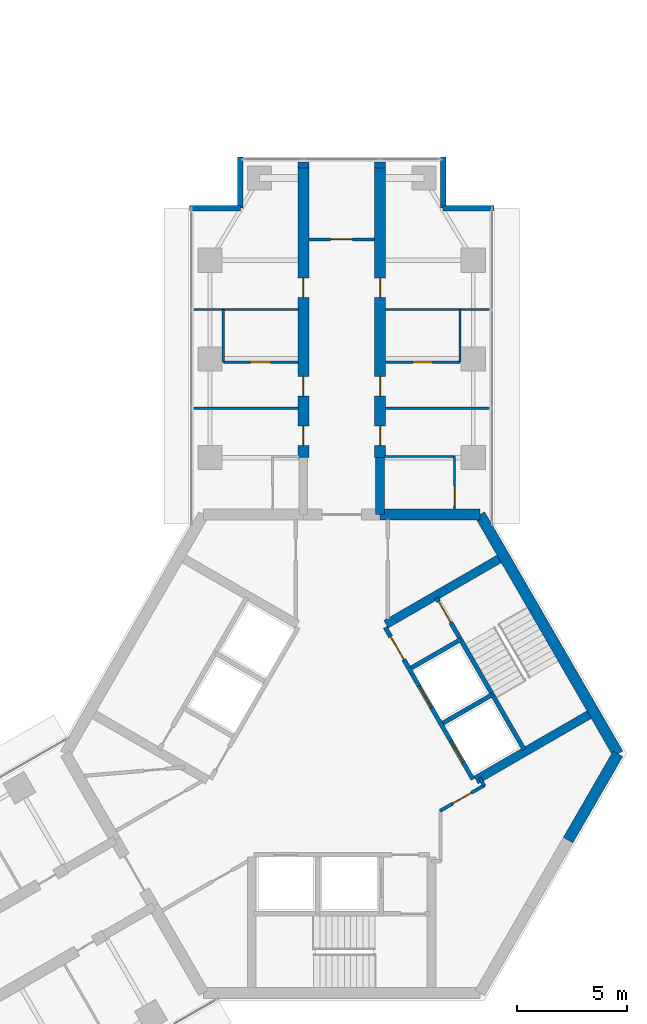
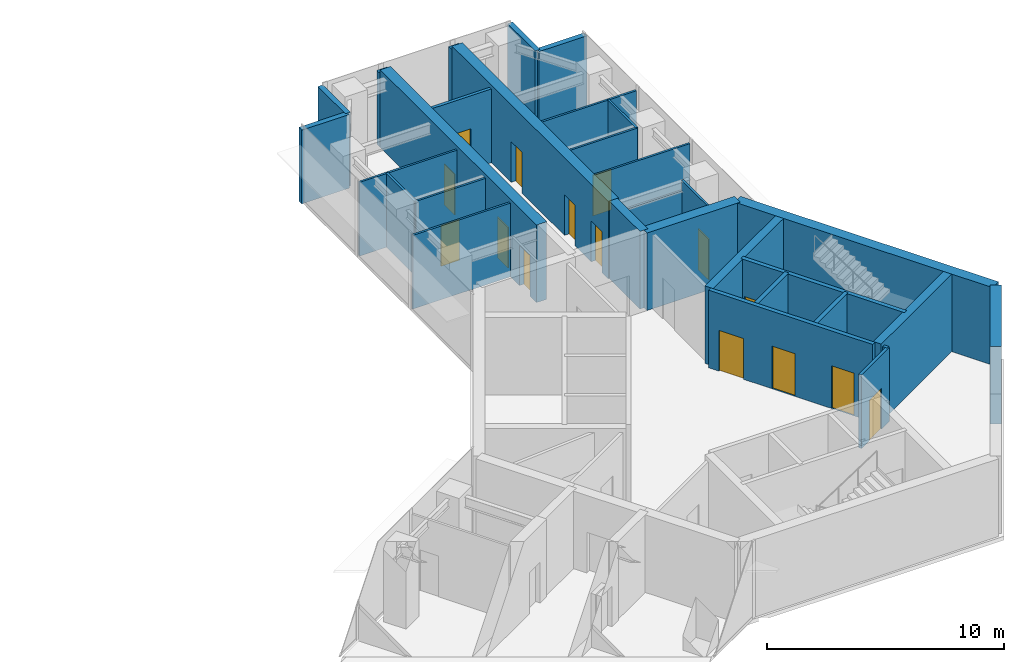
# One storey, part 15 of 17: 31 walls, 15 doors, 15 openings.
"""IFC4 building model written with IfcOpenShell, lengths in metres."""

from ifc_helpers import new_model, si_unit, direction, frame, frame_2d, origin, place, context, subcontext, project, spatial, rectangle, extrude, material, layer, layer_set, type_object, element, fill, save


model = new_model("IFC4")

# Units and contexts
model_context = context("Model", 3, precision=1e-05, world=origin(), true_north=direction((0.0, 1.0)))
body_context = subcontext(model_context, "Body", "Model", "MODEL_VIEW")
ifc_project = project(units=[si_unit("LENGTHUNIT", "METRE"), si_unit("AREAUNIT", "SQUARE_METRE"), si_unit("VOLUMEUNIT", "CUBIC_METRE"), si_unit("PLANEANGLEUNIT", "RADIAN"), si_unit("MASSUNIT", "GRAM", prefix="KILO")], contexts=[model_context])

# Site, building, storey
site_placement = place(None, origin())
site = spatial("IfcSite", under=ifc_project, at=site_placement, CompositionType="ELEMENT")
building_placement = place(site_placement, origin())
building = spatial("IfcBuilding", under=site, at=building_placement, Name="Upepo Twin Towers", CompositionType="ELEMENT")
storey_placement = place(building_placement, frame((0.0, 0.0, 230.5)))
storey = spatial("IfcBuildingStorey", under=building, at=storey_placement, Name="L56", CompositionType="ELEMENT", Elevation=230.5)

# Walls
ifc_material_1 = material(Name="Dense concrete blockwork", Category="masonry")
ifc_layer_1 = layer(ifc_material_1, 0.5)
ifc_layer_set_1 = layer_set([ifc_layer_1], Name="Buttress closer 500, blockwork with fire-stopping to the curtain wall")
wall_type_1 = type_object("IfcWallType", Name="Buttress closer 500, blockwork with fire-stopping to the curtain wall", PredefinedType="PARTITIONING", material=ifc_layer_set_1)
for number, where, z_axis, x_axis, name in (
    (1, (56.75, 8.699951171875, 0.0), (0.0, 0.0, 1.0), (0.0, 1.0, 0.0), "T2 L56 wing A buttress closer L"),
    (2, (60.25, 8.699951171875, 0.0), (0.0, 0.0, 1.0), (0.0, 1.0, 0.0), "T2 L56 wing A buttress closer R"),
):
    element("IfcWall", number, at=place(storey_placement, frame(where, z_axis=z_axis, x_axis=x_axis)), inside=storey, type_object=wall_type_1, Name=name, PredefinedType="PARTITIONING", context=body_context, shape_type="SweptSolid", body=[
        extrude(rectangle(XDim=0.28759765625, YDim=0.5, at=frame_2d((0.143798828125, 0.0))), origin(), (0.0, 0.0, 1.0), 3.800048828125),
    ])
ifc_material_2 = material(Name="Concrete C60/75", Category="concrete")
ifc_layer_2 = layer(ifc_material_2, 0.39990234375)
ifc_layer_set_2 = layer_set([ifc_layer_2], Name="Concrete C60/75")
wall_type_2 = type_object("IfcWallType", Name="Buttress wall 400 RC", PredefinedType="SHEAR", material=ifc_layer_set_2)
wall_1_placement = place(storey_placement, frame((60.25, -7.091552734375, 0.0), z_axis=(0.0, 0.0, 1.0), x_axis=(0.0, 1.0, 0.0)))
element("IfcWall", 3, at=wall_1_placement, inside=storey, type_object=wall_type_2, Name="T2 wing A buttress wall R", PredefinedType="SHEAR", context=body_context, shape_type="SweptSolid", body=[
    extrude(rectangle(XDim=2.591552734375, YDim=0.39990234375, at=frame_2d((1.2958984375, 0.0))), origin(), (0.0, 0.0, 1.0), 4.0),
])

# Wall, openings, doors
ifc_material_3 = material(Name="Concrete C60/75", Category="concrete")
ifc_layer_3 = layer(ifc_material_3, 0.5)
ifc_layer_set_3 = layer_set([ifc_layer_3], Name="Concrete C60/75")
wall_type_3 = type_object("IfcWallType", Name="Buttress wall 500 RC", PredefinedType="SHEAR", material=ifc_layer_set_3)
wall_2_placement = place(storey_placement, frame((56.75, -4.5, 0.0), z_axis=(0.0, 0.0, 1.0), x_axis=(0.0, 1.0, 0.0)))
wall_2 = element("IfcWall", 4, at=wall_2_placement, inside=storey, type_object=wall_type_3, Name="T2 wing A buttress wall L part 2", PredefinedType="SHEAR", context=body_context, shape_type="SweptSolid", body=[
    extrude(rectangle(XDim=13.199951171875, YDim=0.5, at=frame_2d((6.60009765625, 0.0))), origin(), (0.0, 0.0, 1.0), 4.0),
])
opening_1_placement = place(wall_2_placement, frame((0.550048828125, 0.0, 0.0)))
opening_1 = element("IfcOpeningElement", 5, at=opening_1_placement, cuts=wall_2, Name="Opening D11", PredefinedType="OPENING", context=body_context, shape_type="SweptSolid", body=[
    extrude(rectangle(XDim=0.89990234375, YDim=2.10009765625, at=frame_2d((0.449951171875, 1.050048828125))), frame((0.0, 0.260009765625, 0.0), z_axis=(0.0, -1.0, 0.0), x_axis=(1.0, 0.0, 0.0)), (0.0, 0.0, 1.0), 0.52001953125),
])
opening_2_placement = place(wall_2_placement, frame((2.800048828125, 0.0, 0.0)))
opening_2 = element("IfcOpeningElement", 6, at=opening_2_placement, cuts=wall_2, Name="Opening D14", PredefinedType="OPENING", context=body_context, shape_type="SweptSolid", body=[
    extrude(rectangle(XDim=0.89990234375, YDim=2.10009765625, at=frame_2d((0.449951171875, 1.050048828125))), frame((0.0, 0.260009765625, 0.0), z_axis=(0.0, -1.0, 0.0), x_axis=(1.0, 0.0, 0.0)), (0.0, 0.0, 1.0), 0.52001953125),
])
opening_3_placement = place(wall_2_placement, frame((7.300048828125, 0.0, 0.0)))
opening_3 = element("IfcOpeningElement", 7, at=opening_3_placement, cuts=wall_2, Name="Opening D14", PredefinedType="OPENING", context=body_context, shape_type="SweptSolid", body=[
    extrude(rectangle(XDim=0.89990234375, YDim=2.10009765625, at=frame_2d((0.449951171875, 1.050048828125))), frame((0.0, 0.260009765625, 0.0), z_axis=(0.0, -1.0, 0.0), x_axis=(1.0, 0.0, 0.0)), (0.0, 0.0, 1.0), 0.52001953125),
])
ifc_material_4 = material(Name="Timber doorset", Category="wood")
door_type_1 = type_object("IfcDoorType", Name="Office door 900 FD30", OperationType="SINGLE_SWING_LEFT", PredefinedType="DOOR", material=ifc_material_4)
door_1_placement = place(opening_2_placement, origin())
door_1 = element("IfcDoor", 8, at=door_1_placement, inside=storey, type_object=door_type_1, Name="T2 L56 staff office door", OperationType="SINGLE_SWING_LEFT", OverallHeight=2.10009765625, OverallWidth=0.89990234375, PredefinedType="DOOR", context=body_context, shape_type="SweptSolid", body=[
    extrude(rectangle(XDim=0.89990234375, YDim=2.10009765625, at=frame_2d((0.449951171875, 1.050048828125))), frame((0.0, 0.02490234375, 0.0), z_axis=(0.0, -1.0, 0.0), x_axis=(1.0, 0.0, 0.0)), (0.0, 0.0, 1.0), 0.050048828125),
])
fill(opening_2, door_1)
door_2_placement = place(opening_3_placement, origin())
door_2 = element("IfcDoor", 9, at=door_2_placement, inside=storey, type_object=door_type_1, Name="T2 L56 meeting room door", OperationType="SINGLE_SWING_RIGHT", OverallHeight=2.10009765625, OverallWidth=0.89990234375, PredefinedType="DOOR", context=body_context, shape_type="SweptSolid", body=[
    extrude(rectangle(XDim=0.89990234375, YDim=2.10009765625, at=frame_2d((0.449951171875, 1.050048828125))), frame((0.0, 0.02490234375, 0.0), z_axis=(0.0, -1.0, 0.0), x_axis=(1.0, 0.0, 0.0)), (0.0, 0.0, 1.0), 0.050048828125),
])
fill(opening_3, door_2)
ifc_material_5 = material(Name="Timber doorset", Category="wood")
door_type_2 = type_object("IfcDoorType", Name="Toilet door 900", OperationType="SINGLE_SWING_LEFT", PredefinedType="DOOR", material=ifc_material_5)
door_3_placement = place(opening_1_placement, origin())
door_3 = element("IfcDoor", 10, at=door_3_placement, inside=storey, type_object=door_type_2, Name="T2 L56 toilets door", OperationType="SINGLE_SWING_LEFT", OverallHeight=2.10009765625, OverallWidth=0.89990234375, PredefinedType="DOOR", context=body_context, shape_type="SweptSolid", body=[
    extrude(rectangle(XDim=0.89990234375, YDim=2.10009765625, at=frame_2d((0.449951171875, 1.050048828125))), frame((0.0, 0.02490234375, 0.0), z_axis=(0.0, -1.0, 0.0), x_axis=(1.0, 0.0, 0.0)), (0.0, 0.0, 1.0), 0.050048828125),
])
fill(opening_1, door_3)

wall_3_placement = place(storey_placement, frame((60.25, -4.5, 0.0), z_axis=(0.0, 0.0, 1.0), x_axis=(0.0, 1.0, 0.0)))
wall_3 = element("IfcWall", 11, at=wall_3_placement, inside=storey, type_object=wall_type_3, Name="T2 wing A buttress wall R part 2", PredefinedType="SHEAR", context=body_context, shape_type="SweptSolid", body=[
    extrude(rectangle(XDim=13.199951171875, YDim=0.5, at=frame_2d((6.60009765625, 0.0))), origin(), (0.0, 0.0, 1.0), 4.0),
])
opening_4_placement = place(wall_3_placement, frame((0.550048828125, 0.0, 0.0)))
opening_4 = element("IfcOpeningElement", 12, at=opening_4_placement, cuts=wall_3, Name="Opening D11", PredefinedType="OPENING", context=body_context, shape_type="SweptSolid", body=[
    extrude(rectangle(XDim=0.89990234375, YDim=2.10009765625, at=frame_2d((0.449951171875, 1.050048828125))), frame((0.0, 0.260009765625, 0.0), z_axis=(0.0, -1.0, 0.0), x_axis=(1.0, 0.0, 0.0)), (0.0, 0.0, 1.0), 0.52001953125),
])
opening_5_placement = place(wall_3_placement, frame((2.800048828125, 0.0, 0.0)))
opening_5 = element("IfcOpeningElement", 13, at=opening_5_placement, cuts=wall_3, Name="Opening D14", PredefinedType="OPENING", context=body_context, shape_type="SweptSolid", body=[
    extrude(rectangle(XDim=0.89990234375, YDim=2.10009765625, at=frame_2d((0.449951171875, 1.050048828125))), frame((0.0, 0.260009765625, 0.0), z_axis=(0.0, -1.0, 0.0), x_axis=(1.0, 0.0, 0.0)), (0.0, 0.0, 1.0), 0.52001953125),
])
opening_6_placement = place(wall_3_placement, frame((7.300048828125, 0.0, 0.0)))
opening_6 = element("IfcOpeningElement", 14, at=opening_6_placement, cuts=wall_3, Name="Opening D14", PredefinedType="OPENING", context=body_context, shape_type="SweptSolid", body=[
    extrude(rectangle(XDim=0.89990234375, YDim=2.10009765625, at=frame_2d((0.449951171875, 1.050048828125))), frame((0.0, 0.260009765625, 0.0), z_axis=(0.0, -1.0, 0.0), x_axis=(1.0, 0.0, 0.0)), (0.0, 0.0, 1.0), 0.52001953125),
])
door_4_placement = place(opening_5_placement, origin())
door_4 = element("IfcDoor", 15, at=door_4_placement, inside=storey, type_object=door_type_1, Name="T2 L56 staff office door", OperationType="SINGLE_SWING_LEFT", OverallHeight=2.10009765625, OverallWidth=0.89990234375, PredefinedType="DOOR", context=body_context, shape_type="SweptSolid", body=[
    extrude(rectangle(XDim=0.89990234375, YDim=2.10009765625, at=frame_2d((0.449951171875, 1.050048828125))), frame((0.0, 0.02490234375, 0.0), z_axis=(0.0, -1.0, 0.0), x_axis=(1.0, 0.0, 0.0)), (0.0, 0.0, 1.0), 0.050048828125),
])
fill(opening_5, door_4)
door_5_placement = place(opening_6_placement, origin())
door_5 = element("IfcDoor", 16, at=door_5_placement, inside=storey, type_object=door_type_1, Name="T2 L56 postgraduate office door", OperationType="SINGLE_SWING_RIGHT", OverallHeight=2.10009765625, OverallWidth=0.89990234375, PredefinedType="DOOR", context=body_context, shape_type="SweptSolid", body=[
    extrude(rectangle(XDim=0.89990234375, YDim=2.10009765625, at=frame_2d((0.449951171875, 1.050048828125))), frame((0.0, 0.02490234375, 0.0), z_axis=(0.0, -1.0, 0.0), x_axis=(1.0, 0.0, 0.0)), (0.0, 0.0, 1.0), 0.050048828125),
])
fill(opening_6, door_5)
door_6_placement = place(opening_4_placement, origin())
door_6 = element("IfcDoor", 17, at=door_6_placement, inside=storey, type_object=door_type_2, Name="T2 L56 accessible wc door", OperationType="SINGLE_SWING_LEFT", OverallHeight=2.10009765625, OverallWidth=0.89990234375, PredefinedType="DOOR", context=body_context, shape_type="SweptSolid", body=[
    extrude(rectangle(XDim=0.89990234375, YDim=2.10009765625, at=frame_2d((0.449951171875, 1.050048828125))), frame((0.0, 0.02490234375, 0.0), z_axis=(0.0, -1.0, 0.0), x_axis=(1.0, 0.0, 0.0)), (0.0, 0.0, 1.0), 0.050048828125),
])
fill(opening_4, door_6)

# Walls
ifc_material_6 = material(Name="Concrete C60/75", Category="concrete")
ifc_layer_4 = layer(ifc_material_6, 0.5)
ifc_layer_set_4 = layer_set([ifc_layer_4], Name="Concrete C60/75")
wall_type_4 = type_object("IfcWallType", Name="Core wall 500 RC", PredefinedType="SHEAR", material=ifc_layer_set_4)
wall_4_placement = place(storey_placement, frame((64.7978515625, -7.091552734375, 0.0), z_axis=(0.0, 0.0, 1.0), x_axis=(-1.0, 0.0, 0.0)))
element("IfcWall", 18, at=wall_4_placement, inside=storey, type_object=wall_type_4, Name="T2 core wall 000 R", PredefinedType="SHEAR", context=body_context, shape_type="SweptSolid", body=[
    extrude(rectangle(XDim=4.5478515625, YDim=0.5, at=frame_2d((2.27392578125, 0.0))), origin(), (0.0, 0.0, 1.0), 4.0),
])
wall_5_placement = place(storey_placement, frame((68.82177734375, -21.938720703125, 0.0), z_axis=(0.0, 0.0, 1.0), x_axis=(0.500024481964, 0.866011268655, 0.0)))
element("IfcWall", 19, at=wall_5_placement, inside=storey, type_object=wall_type_4, Name="T2 core wall 240 L", PredefinedType="SHEAR", context=body_context, shape_type="SweptSolid", body=[
    extrude(rectangle(XDim=4.548095703125, YDim=0.5, at=frame_2d((2.27392578125, 0.0))), origin(), (0.0, 0.0, 1.0), 4.0),
])
wall_6_placement = place(storey_placement, frame((71.095947265625, -18.0, 0.0), z_axis=(0.0, 0.0, 1.0), x_axis=(-0.500005998175, 0.866021940709, 0.0)))
element("IfcWall", 20, at=wall_6_placement, inside=storey, type_object=wall_type_4, Name="T2 core wall 300", PredefinedType="SHEAR", context=body_context, shape_type="SweptSolid", body=[
    extrude(rectangle(XDim=12.595947265625, YDim=0.5, at=frame_2d((6.2978515625, 0.0))), origin(), (0.0, 0.0, 1.0), 4.0),
])
ifc_material_7 = material(Name="Blockwork with anodised aluminium cladding", Category="masonry")
ifc_layer_5 = layer(ifc_material_7, 0.25)
ifc_layer_set_5 = layer_set([ifc_layer_5], Name="Notch cladding wall 250, pale metal")
wall_type_5 = type_object("IfcWallType", Name="Notch cladding wall 250, pale metal", PredefinedType="STANDARD", material=ifc_layer_set_5)
for number, where, z_axis, x_axis, name in (
    (21, (51.550048828125, 6.875, 0.0), (0.0, 0.0, 1.0), (1.0, 0.0, 0.0), "T2 L56 wing A notch wall L1"),
    (22, (53.875, 6.875, 0.0), (0.0, 0.0, 1.0), (0.0, 1.0, 0.0), "T2 L56 wing A notch wall L2"),
    (23, (65.449951171875, 6.875, 0.0), (0.0, 0.0, 1.0), (-1.0, 0.0, 0.0), "T2 L56 wing A notch wall R1"),
    (24, (63.125, 6.875, 0.0), (0.0, 0.0, 1.0), (0.0, 1.0, 0.0), "T2 L56 wing A notch wall R2"),
):
    element("IfcWall", number, at=place(storey_placement, frame(where, z_axis=z_axis, x_axis=x_axis)), inside=storey, type_object=wall_type_5, Name=name, PredefinedType="STANDARD", context=body_context, shape_type="SweptSolid", body=[
        extrude(rectangle(XDim=2.324951171875, YDim=0.25, at=frame_2d((1.16259765625, 0.0))), origin(), (0.0, 0.0, 1.0), 3.800048828125),
    ])
ifc_material_8 = material(Name="Gypsum board on steel studs", Category="steel")
ifc_layer_6 = layer(ifc_material_8, 0.10009765625)
ifc_layer_set_6 = layer_set([ifc_layer_6], Name="Office partition 100 stud")
wall_type_6 = type_object("IfcWallType", Name="Office partition 100 stud", PredefinedType="PARTITIONING", material=ifc_layer_set_6)
for number, where, z_axis, x_axis, name in (
    (25, (56.5, -2.25, 0.0), (0.0, 0.0, 1.0), (-1.0, 0.0, 0.0), "T2 partition AL at 15.75"),
    (26, (56.5, 2.25, 0.0), (0.0, 0.0, 1.0), (-1.0, 0.0, 0.0), "T2 partition AL at 20.25"),
):
    element("IfcWall", number, at=place(storey_placement, frame(where, z_axis=z_axis, x_axis=x_axis)), inside=storey, type_object=wall_type_6, Name=name, PredefinedType="PARTITIONING", context=body_context, shape_type="SweptSolid", body=[
        extrude(rectangle(XDim=4.75, YDim=0.10009765625, at=frame_2d((2.375, 0.0))), origin(), (0.0, 0.0, 1.0), 3.800048828125),
    ])
wall_7_placement = place(storey_placement, frame((53.10009765625, -0.14990234375, 0.0), z_axis=(0.0, 0.0, 1.0), x_axis=(0.0, 1.0, 0.0)))
element("IfcWall", 27, at=wall_7_placement, inside=storey, type_object=wall_type_6, Name="T2 inner room partition AL at 17.85", PredefinedType="PARTITIONING", context=body_context, shape_type="SweptSolid", body=[
    extrude(rectangle(XDim=2.39990234375, YDim=0.10009765625, at=frame_2d((1.199951171875, 0.0))), origin(), (0.0, 0.0, 1.0), 3.800048828125),
])

# Wall, opening, door
wall_8_placement = place(storey_placement, frame((56.5, -0.14990234375, 0.0), z_axis=(0.0, 0.0, 1.0), x_axis=(-1.0, 0.0, 0.0)))
wall_8 = element("IfcWall", 28, at=wall_8_placement, inside=storey, type_object=wall_type_6, Name="T2 inner room partition AL end at 17.85", PredefinedType="PARTITIONING", context=body_context, shape_type="SweptSolid", body=[
    extrude(rectangle(XDim=3.39990234375, YDim=0.10009765625, at=frame_2d((1.699951171875, 0.0))), origin(), (0.0, 0.0, 1.0), 3.800048828125),
])
opening_7_placement = place(wall_8_placement, frame((1.25, 0.0, 0.0)))
opening_7 = element("IfcOpeningElement", 29, at=opening_7_placement, cuts=wall_8, Name="Opening D14", PredefinedType="OPENING", context=body_context, shape_type="SweptSolid", body=[
    extrude(rectangle(XDim=0.89990234375, YDim=2.10009765625, at=frame_2d((0.449951171875, 1.050048828125))), frame((0.0, 0.06005859375, 0.0), z_axis=(0.0, -1.0, 0.0), x_axis=(1.0, 0.0, 0.0)), (0.0, 0.0, 1.0), 0.1201171875),
])
door_7_placement = place(opening_7_placement, origin())
door_7 = element("IfcDoor", 30, at=door_7_placement, inside=storey, type_object=door_type_1, Name="T2 L56 inner room door", OperationType="SINGLE_SWING_LEFT", OverallHeight=2.10009765625, OverallWidth=0.89990234375, PredefinedType="DOOR", context=body_context, shape_type="SweptSolid", body=[
    extrude(rectangle(XDim=0.89990234375, YDim=2.10009765625, at=frame_2d((0.449951171875, 1.050048828125))), frame((0.0, 0.02490234375, 0.0), z_axis=(0.0, -1.0, 0.0), x_axis=(1.0, 0.0, 0.0)), (0.0, 0.0, 1.0), 0.050048828125),
])
fill(opening_7, door_7)

# Walls
for number, where, z_axis, x_axis, name in (
    (31, (60.5, -2.25, 0.0), (0.0, 0.0, 1.0), (1.0, 0.0, 0.0), "T2 partition AR at 15.75"),
    (32, (60.5, 2.25, 0.0), (0.0, 0.0, 1.0), (1.0, 0.0, 0.0), "T2 partition AR at 20.25"),
):
    element("IfcWall", number, at=place(storey_placement, frame(where, z_axis=z_axis, x_axis=x_axis)), inside=storey, type_object=wall_type_6, Name=name, PredefinedType="PARTITIONING", context=body_context, shape_type="SweptSolid", body=[
        extrude(rectangle(XDim=4.75, YDim=0.10009765625, at=frame_2d((2.375, 0.0))), origin(), (0.0, 0.0, 1.0), 3.800048828125),
    ])
wall_9_placement = place(storey_placement, frame((63.89990234375, -0.14990234375, 0.0), z_axis=(0.0, 0.0, 1.0), x_axis=(0.0, 1.0, 0.0)))
element("IfcWall", 33, at=wall_9_placement, inside=storey, type_object=wall_type_6, Name="T2 inner room partition AR at 17.85", PredefinedType="PARTITIONING", context=body_context, shape_type="SweptSolid", body=[
    extrude(rectangle(XDim=2.39990234375, YDim=0.10009765625, at=frame_2d((1.199951171875, 0.0))), origin(), (0.0, 0.0, 1.0), 3.800048828125),
])

# Wall, opening, door
wall_10_placement = place(storey_placement, frame((60.5, -0.14990234375, 0.0), z_axis=(0.0, 0.0, 1.0), x_axis=(1.0, 0.0, 0.0)))
wall_10 = element("IfcWall", 34, at=wall_10_placement, inside=storey, type_object=wall_type_6, Name="T2 inner room partition AR end at 17.85", PredefinedType="PARTITIONING", context=body_context, shape_type="SweptSolid", body=[
    extrude(rectangle(XDim=3.39990234375, YDim=0.10009765625, at=frame_2d((1.699951171875, 0.0))), origin(), (0.0, 0.0, 1.0), 3.800048828125),
])
opening_8_placement = place(wall_10_placement, frame((1.25, 0.0, 0.0)))
opening_8 = element("IfcOpeningElement", 35, at=opening_8_placement, cuts=wall_10, Name="Opening D14", PredefinedType="OPENING", context=body_context, shape_type="SweptSolid", body=[
    extrude(rectangle(XDim=0.89990234375, YDim=2.10009765625, at=frame_2d((0.449951171875, 1.050048828125))), frame((0.0, 0.06005859375, 0.0), z_axis=(0.0, -1.0, 0.0), x_axis=(1.0, 0.0, 0.0)), (0.0, 0.0, 1.0), 0.1201171875),
])
door_8_placement = place(opening_8_placement, origin())
door_8 = element("IfcDoor", 36, at=door_8_placement, inside=storey, type_object=door_type_1, Name="T2 L56 inner room door", OperationType="SINGLE_SWING_LEFT", OverallHeight=2.10009765625, OverallWidth=0.89990234375, PredefinedType="DOOR", context=body_context, shape_type="SweptSolid", body=[
    extrude(rectangle(XDim=0.89990234375, YDim=2.10009765625, at=frame_2d((0.449951171875, 1.050048828125))), frame((0.0, 0.02490234375, 0.0), z_axis=(0.0, -1.0, 0.0), x_axis=(1.0, 0.0, 0.0)), (0.0, 0.0, 1.0), 0.050048828125),
])
fill(opening_8, door_8)

wall_11_placement = place(storey_placement, frame((63.64990234375, -6.842041015625, 0.0), z_axis=(0.0, 0.0, 1.0), x_axis=(0.0, 1.0, 0.0)))
wall_11 = element("IfcWall", 37, at=wall_11_placement, inside=storey, type_object=wall_type_6, Name="T2 WC bay partition AR at 11.16", PredefinedType="PARTITIONING", context=body_context, shape_type="SweptSolid", body=[
    extrude(rectangle(XDim=2.400146484375, YDim=0.10009765625, at=frame_2d((1.2001953125, 0.0))), origin(), (0.0, 0.0, 1.0), 3.800048828125),
])
opening_9_placement = place(wall_11_placement, frame((0.14990234375, 0.0, 0.0)))
opening_9 = element("IfcOpeningElement", 38, at=opening_9_placement, cuts=wall_11, Name="Opening D14", PredefinedType="OPENING", context=body_context, shape_type="SweptSolid", body=[
    extrude(rectangle(XDim=0.89990234375, YDim=2.10009765625, at=frame_2d((0.449951171875, 1.050048828125))), frame((0.0, 0.06005859375, 0.0), z_axis=(0.0, -1.0, 0.0), x_axis=(1.0, 0.0, 0.0)), (0.0, 0.0, 1.0), 0.1201171875),
])
door_9_placement = place(opening_9_placement, origin())
door_9 = element("IfcDoor", 39, at=door_9_placement, inside=storey, type_object=door_type_1, Name="T2 L56 WC bay inner room door", OperationType="SINGLE_SWING_LEFT", OverallHeight=2.10009765625, OverallWidth=0.89990234375, PredefinedType="DOOR", context=body_context, shape_type="SweptSolid", body=[
    extrude(rectangle(XDim=0.89990234375, YDim=2.10009765625, at=frame_2d((0.449951171875, 1.050048828125))), frame((0.0, 0.02490234375, 0.0), z_axis=(0.0, -1.0, 0.0), x_axis=(1.0, 0.0, 0.0)), (0.0, 0.0, 1.0), 0.050048828125),
])
fill(opening_9, door_9)

# Wall
wall_12_placement = place(storey_placement, frame((60.449951171875, -4.44189453125, 0.0), z_axis=(0.0, 0.0, 1.0), x_axis=(1.0, 0.0, 0.0)))
element("IfcWall", 40, at=wall_12_placement, inside=storey, type_object=wall_type_6, Name="T2 WC bay partition AR end at 13.56", PredefinedType="PARTITIONING", context=body_context, shape_type="SweptSolid", body=[
    extrude(rectangle(XDim=3.199951171875, YDim=0.10009765625, at=frame_2d((1.60009765625, 0.0))), origin(), (0.0, 0.0, 1.0), 3.266845703125),
])

# Wall, openings, doors
ifc_material_9 = material(Name="Concrete C40/50", Category="concrete")
ifc_layer_7 = layer(ifc_material_9, 0.199951171875)
ifc_layer_set_7 = layer_set([ifc_layer_7], Name="Concrete C40/50")
wall_type_7 = type_object("IfcWallType", Name="Shaft wall 200 RC", PredefinedType="SHEAR", material=ifc_layer_set_7)
wall_13_placement = place(storey_placement, frame((64.483642578125, -19.1640625, 0.0), z_axis=(0.0, 0.0, 1.0), x_axis=(-0.49999894854, 0.866026010844, 0.0)))
wall_13 = element("IfcWall", 41, at=wall_13_placement, inside=storey, type_object=wall_type_7, Name="T2 core W300 front wall", PredefinedType="SHEAR", context=body_context, shape_type="SweptSolid", body=[
    extrude(rectangle(XDim=8.0, YDim=0.199951171875, at=frame_2d((4.0, 0.0))), origin(), (0.0, 0.0, 1.0), 4.0),
])
opening_10_placement = place(wall_13_placement, frame((6.300048828125, 0.0, 0.0)))
opening_10 = element("IfcOpeningElement", 42, at=opening_10_placement, cuts=wall_13, Name="Opening D4", PredefinedType="OPENING", context=body_context, shape_type="SweptSolid", body=[
    extrude(rectangle(XDim=1.199951171875, YDim=2.10009765625, at=frame_2d((0.60009765625, 1.050048828125))), frame((0.0, 0.10986328125, 0.0), z_axis=(0.0, -1.0, 0.0), x_axis=(1.0, 0.0, 0.0)), (0.0, 0.0, 1.0), 0.219970703125),
])
opening_11_placement = place(wall_13_placement, frame((0.89990234375, 0.0, 0.0)))
opening_11 = element("IfcOpeningElement", 43, at=opening_11_placement, cuts=wall_13, Name="Opening LD1", PredefinedType="OPENING", context=body_context, shape_type="SweptSolid", body=[
    extrude(rectangle(XDim=1.10009765625, YDim=2.199951171875, at=frame_2d((0.550048828125, 1.10009765625))), frame((0.0, 0.10986328125, 0.0), z_axis=(0.0, -1.0, 0.0), x_axis=(1.0, 0.0, 0.0)), (0.0, 0.0, 1.0), 0.219970703125),
])
opening_12_placement = place(wall_13_placement, frame((3.800048828125, 0.0, 0.0)))
opening_12 = element("IfcOpeningElement", 44, at=opening_12_placement, cuts=wall_13, Name="Opening LD1", PredefinedType="OPENING", context=body_context, shape_type="SweptSolid", body=[
    extrude(rectangle(XDim=1.10009765625, YDim=2.199951171875, at=frame_2d((0.550048828125, 1.10009765625))), frame((0.0, 0.10986328125, 0.0), z_axis=(0.0, -1.0, 0.0), x_axis=(1.0, 0.0, 0.0)), (0.0, 0.0, 1.0), 0.219970703125),
])
ifc_material_10 = material(Name="Steel doorset", Category="steel")
door_type_3 = type_object("IfcDoorType", Name="Lift landing door 1100", OperationType="DOUBLE_DOOR_SLIDING", PredefinedType="DOOR", material=ifc_material_10)
door_10_placement = place(opening_11_placement, origin())
door_10 = element("IfcDoor", 45, at=door_10_placement, inside=storey, type_object=door_type_3, Name="T2 L56 lift UL1 landing door", OperationType="DOUBLE_DOOR_SLIDING", OverallHeight=2.199951171875, OverallWidth=1.10009765625, PredefinedType="DOOR", context=body_context, shape_type="SweptSolid", body=[
    extrude(rectangle(XDim=1.10009765625, YDim=2.199951171875, at=frame_2d((0.550048828125, 1.10009765625))), frame((0.0, 0.02490234375, 0.0), z_axis=(0.0, -1.0, 0.0), x_axis=(1.0, 0.0, 0.0)), (0.0, 0.0, 1.0), 0.050048828125),
])
fill(opening_11, door_10)
door_11_placement = place(opening_12_placement, origin())
door_11 = element("IfcDoor", 46, at=door_11_placement, inside=storey, type_object=door_type_3, Name="T2 L56 lift UL2 landing door", OperationType="DOUBLE_DOOR_SLIDING", OverallHeight=2.199951171875, OverallWidth=1.10009765625, PredefinedType="DOOR", context=body_context, shape_type="SweptSolid", body=[
    extrude(rectangle(XDim=1.10009765625, YDim=2.199951171875, at=frame_2d((0.550048828125, 1.10009765625))), frame((0.0, 0.02490234375, 0.0), z_axis=(0.0, -1.0, 0.0), x_axis=(1.0, 0.0, 0.0)), (0.0, 0.0, 1.0), 0.050048828125),
])
fill(opening_12, door_11)
ifc_material_11 = material(Name="Timber doorset", Category="wood")
door_type_4 = type_object("IfcDoorType", Name="Lobby door 1200 FD60", OperationType="SINGLE_SWING_LEFT", PredefinedType="DOOR", material=ifc_material_11)
door_12_placement = place(opening_10_placement, origin())
door_12 = element("IfcDoor", 47, at=door_12_placement, inside=storey, type_object=door_type_4, Name="T2 L56 W300 lobby door", OperationType="SINGLE_SWING_RIGHT", OverallHeight=2.10009765625, OverallWidth=1.199951171875, PredefinedType="DOOR", context=body_context, shape_type="SweptSolid", body=[
    extrude(rectangle(XDim=1.199951171875, YDim=2.10009765625, at=frame_2d((0.60009765625, 1.050048828125))), frame((0.0, 0.02490234375, 0.0), z_axis=(0.0, -1.0, 0.0), x_axis=(1.0, 0.0, 0.0)), (0.0, 0.0, 1.0), 0.050048828125),
])
fill(opening_10, door_12)

# Walls
wall_14_placement = place(storey_placement, frame((63.120361328125, -16.6025390625, 0.0), z_axis=(0.0, 0.0, 1.0), x_axis=(0.866062058628, 0.499936506574, 0.0)))
element("IfcWall", 48, at=wall_14_placement, inside=storey, type_object=wall_type_7, Name="T2 core W300 shaft divider", PredefinedType="SHEAR", context=body_context, shape_type="SweptSolid", body=[
    extrude(rectangle(XDim=2.599853515625, YDim=0.199951171875, at=frame_2d((1.2998046875, 0.0))), origin(), (0.0, 0.0, 1.0), 4.0),
])
wall_15_placement = place(storey_placement, frame((61.67041015625, -14.091064453125, 0.0), z_axis=(0.0, 0.0, 1.0), x_axis=(0.86603858612, 0.49997716683, 0.0)))
element("IfcWall", 49, at=wall_15_placement, inside=storey, type_object=wall_type_7, Name="T2 core W300 lobby wall", PredefinedType="SHEAR", context=body_context, shape_type="SweptSolid", body=[
    extrude(rectangle(XDim=2.599609375, YDim=0.199951171875, at=frame_2d((1.2998046875, 0.0))), origin(), (0.0, 0.0, 1.0), 4.0),
])

# Wall, opening, door
wall_16_placement = place(storey_placement, frame((66.822021484375, -17.814208984375, 0.0), z_axis=(0.0, 0.0, 1.0), x_axis=(-0.49999894854, 0.866026010844, 0.0)))
wall_16 = element("IfcWall", 50, at=wall_16_placement, inside=storey, type_object=wall_type_7, Name="T2 core W300 stair wall", PredefinedType="SHEAR", context=body_context, shape_type="SweptSolid", body=[
    extrude(rectangle(XDim=8.0, YDim=0.199951171875, at=frame_2d((4.0, 0.0))), origin(), (0.0, 0.0, 1.0), 4.0),
])
opening_13_placement = place(wall_16_placement, frame((6.699951171875, 0.0, 0.0)))
opening_13 = element("IfcOpeningElement", 51, at=opening_13_placement, cuts=wall_16, Name="Opening D3", PredefinedType="OPENING", context=body_context, shape_type="SweptSolid", body=[
    extrude(rectangle(XDim=1.10009765625, YDim=2.10009765625, at=frame_2d((0.550048828125, 1.050048828125))), frame((0.0, 0.10986328125, 0.0), z_axis=(0.0, -1.0, 0.0), x_axis=(1.0, 0.0, 0.0)), (0.0, 0.0, 1.0), 0.219970703125),
])
ifc_material_12 = material(Name="Timber doorset", Category="wood")
door_type_5 = type_object("IfcDoorType", Name="Stair door 1100 FD60", OperationType="SINGLE_SWING_LEFT", PredefinedType="DOOR", material=ifc_material_12)
door_13_placement = place(opening_13_placement, origin())
door_13 = element("IfcDoor", 52, at=door_13_placement, inside=storey, type_object=door_type_5, Name="T2 L56 stair door", OperationType="SINGLE_SWING_RIGHT", OverallHeight=2.10009765625, OverallWidth=1.10009765625, PredefinedType="DOOR", context=body_context, shape_type="SweptSolid", body=[
    extrude(rectangle(XDim=1.10009765625, YDim=2.10009765625, at=frame_2d((0.550048828125, 1.050048828125))), frame((0.0, 0.02490234375, 0.0), z_axis=(0.0, -1.0, 0.0), x_axis=(1.0, 0.0, 0.0)), (0.0, 0.0, 1.0), 0.050048828125),
])
fill(opening_13, door_13)

# Walls
ifc_material_13 = material(Name="Concrete C40/50", Category="concrete")
ifc_layer_8 = layer(ifc_material_13, 0.39990234375)
ifc_layer_set_8 = layer_set([ifc_layer_8], Name="Concrete C40/50")
wall_type_8 = type_object("IfcWallType", Name="Shaft wall 400 RC", PredefinedType="SHEAR", material=ifc_layer_set_8)
wall_17_placement = place(storey_placement, frame((60.520263671875, -12.099365234375, 0.0), z_axis=(0.0, 0.0, 1.0), x_axis=(0.86602319114, 0.500003832394, 0.0)))
element("IfcWall", 53, at=wall_17_placement, inside=storey, type_object=wall_type_8, Name="T2 core W300 side wall N", PredefinedType="SHEAR", context=body_context, shape_type="SweptSolid", body=[
    extrude(rectangle(XDim=5.95849609375, YDim=0.39990234375, at=frame_2d((2.979248046875, 0.0))), origin(), (0.0, 0.0, 1.0), 4.0),
])
wall_18_placement = place(storey_placement, frame((64.620361328125, -19.20068359375, 0.0), z_axis=(0.0, 0.0, 1.0), x_axis=(0.866012946976, 0.500021575205, 0.0)))
element("IfcWall", 54, at=wall_18_placement, inside=storey, type_object=wall_type_8, Name="T2 core W300 side wall S", PredefinedType="SHEAR", context=body_context, shape_type="SweptSolid", body=[
    extrude(rectangle(XDim=5.958251953125, YDim=0.39990234375, at=frame_2d((2.97900390625, 0.0))), origin(), (0.0, 0.0, 1.0), 4.0),
])
ifc_material_14 = material(Name="Gypsum board on steel studs", Category="steel")
ifc_layer_9 = layer(ifc_material_14, 0.14990234375)
ifc_layer_set_9 = layer_set([ifc_layer_9], Name="Teaching partition 150 acoustic")
wall_type_9 = type_object("IfcWallType", Name="Teaching partition 150 acoustic", PredefinedType="PARTITIONING", material=ifc_layer_set_9)
wall_19_placement = place(storey_placement, frame((64.78857421875, -19.092041015625, 0.0), z_axis=(0.0, 0.0, 1.0), x_axis=(0.499804398801, -0.866138304741, 0.0)))
element("IfcWall", 55, at=wall_19_placement, inside=storey, type_object=wall_type_9, Name="T2 core room partition 6", PredefinedType="PARTITIONING", context=body_context, shape_type="SweptSolid", body=[
    extrude(rectangle(XDim=0.429931640625, YDim=0.14990234375, at=frame_2d((0.21484375, 0.0))), origin(), (0.0, 0.0, 1.0), 3.800048828125),
])

# Wall, opening, door
wall_20_placement = place(storey_placement, frame((65.0107421875, -19.43701171875, 0.0), z_axis=(0.0, 0.0, 1.0), x_axis=(-0.865982457891, -0.500074377092, 0.0)))
wall_20 = element("IfcWall", 56, at=wall_20_placement, inside=storey, type_object=wall_type_9, Name="T2 core room partition 7", PredefinedType="PARTITIONING", context=body_context, shape_type="SweptSolid", body=[
    extrude(rectangle(XDim=2.342041015625, YDim=0.14990234375, at=frame_2d((1.1708984375, 0.0))), origin(), (0.0, 0.0, 1.0), 3.800048828125),
])
opening_14_placement = place(wall_20_placement, frame((0.6708984375, 0.0, 0.0)))
opening_14 = element("IfcOpeningElement", 57, at=opening_14_placement, cuts=wall_20, Name="Opening D1", PredefinedType="OPENING", context=body_context, shape_type="SweptSolid", body=[
    extrude(rectangle(XDim=1.0, YDim=2.10009765625, at=frame_2d((0.5, 1.050048828125))), frame((0.0, 0.0849609375, 0.0), z_axis=(0.0, -1.0, 0.0), x_axis=(1.0, 0.0, 0.0)), (0.0, 0.0, 1.0), 0.169921875),
])
ifc_material_15 = material(Name="Timber doorset", Category="wood")
door_type_6 = type_object("IfcDoorType", Name="Room door 1000 FD30", OperationType="SINGLE_SWING_LEFT", PredefinedType="DOOR", material=ifc_material_15)
door_14_placement = place(opening_14_placement, origin())
door_14 = element("IfcDoor", 58, at=door_14_placement, inside=storey, type_object=door_type_6, Name="T2 L56 core room door K4", OperationType="SINGLE_SWING_RIGHT", OverallHeight=2.10009765625, OverallWidth=1.0, PredefinedType="DOOR", context=body_context, shape_type="SweptSolid", body=[
    extrude(rectangle(XDim=1.0, YDim=2.10009765625, at=frame_2d((0.5, 1.050048828125))), frame((0.0, 0.02490234375, 0.0), z_axis=(0.0, -1.0, 0.0), x_axis=(1.0, 0.0, 0.0)), (0.0, 0.0, 1.0), 0.050048828125),
])
fill(opening_14, door_14)

wall_21_placement = place(storey_placement, frame((60.0, 5.449951171875, 0.0), z_axis=(0.0, 0.0, 1.0), x_axis=(-1.0, 0.0, 0.0)))
wall_21 = element("IfcWall", 59, at=wall_21_placement, inside=storey, type_object=wall_type_9, Name="T2 corridor end partition A at 23.45", PredefinedType="PARTITIONING", context=body_context, shape_type="SweptSolid", body=[
    extrude(rectangle(XDim=3.0, YDim=0.14990234375, at=frame_2d((1.5, 0.0))), origin(), (0.0, 0.0, 1.0), 3.800048828125),
])
opening_15_placement = place(wall_21_placement, frame((1.0, 0.0, 0.0)))
opening_15 = element("IfcOpeningElement", 60, at=opening_15_placement, cuts=wall_21, Name="Opening D1", PredefinedType="OPENING", context=body_context, shape_type="SweptSolid", body=[
    extrude(rectangle(XDim=1.0, YDim=2.10009765625, at=frame_2d((0.5, 1.050048828125))), frame((0.0, 0.0849609375, 0.0), z_axis=(0.0, -1.0, 0.0), x_axis=(1.0, 0.0, 0.0)), (0.0, 0.0, 1.0), 0.169921875),
])
door_15_placement = place(opening_15_placement, origin())
door_15 = element("IfcDoor", 61, at=door_15_placement, inside=storey, type_object=door_type_6, Name="T2 L56 breakout study room door", OperationType="SINGLE_SWING_LEFT", OverallHeight=2.10009765625, OverallWidth=1.0, PredefinedType="DOOR", context=body_context, shape_type="SweptSolid", body=[
    extrude(rectangle(XDim=1.0, YDim=2.10009765625, at=frame_2d((0.5, 1.050048828125))), frame((0.0, 0.02490234375, 0.0), z_axis=(0.0, -1.0, 0.0), x_axis=(1.0, 0.0, 0.0)), (0.0, 0.0, 1.0), 0.050048828125),
])
fill(opening_15, door_15)

save(model, "model.ifc")
